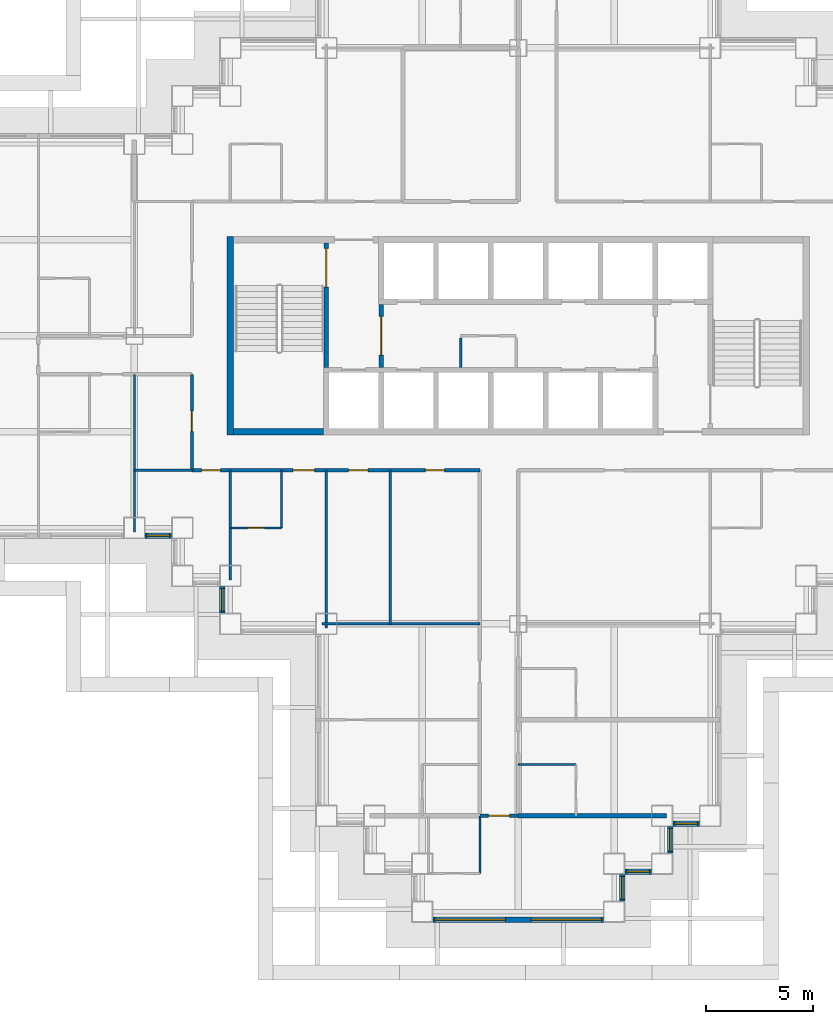
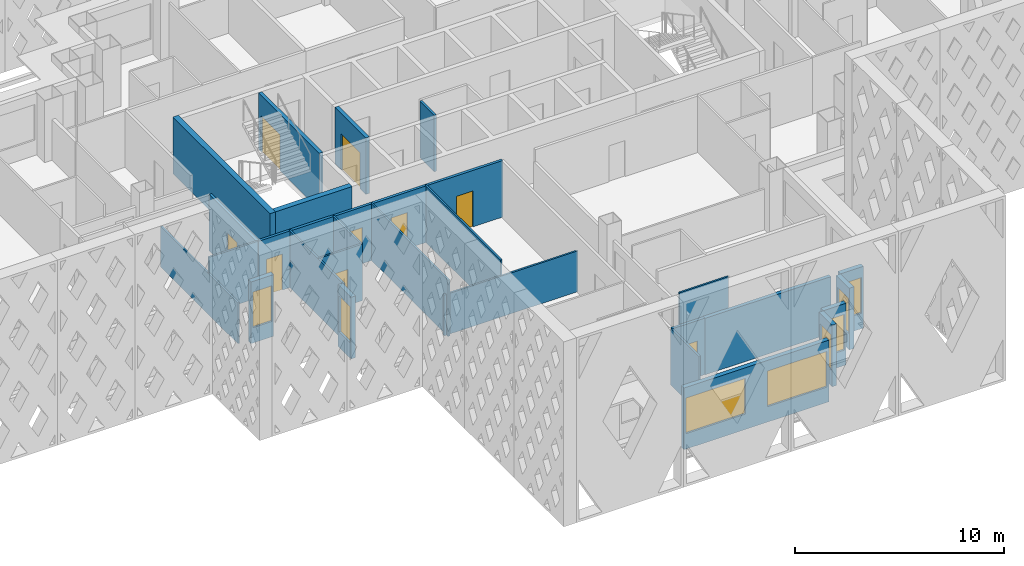
# One storey, part 4 of 19: 26 walls, 9 doors, 8 windows, 17 openings.
"""IFC4 building model written with IfcOpenShell, lengths in metres."""

from ifc_helpers import new_model, si_unit, direction, frame, frame_2d, origin, place, context, subcontext, project, spatial, rectangle, extrude, material, layer, layer_set, type_object, element, fill, save


model = new_model("IFC4")

# Units and contexts
model_context = context("Model", 3, precision=1e-05, world=origin(), true_north=direction((0.0, 1.0)))
body_context = subcontext(model_context, "Body", "Model", "MODEL_VIEW")
ifc_project = project(units=[si_unit("LENGTHUNIT", "METRE"), si_unit("AREAUNIT", "SQUARE_METRE"), si_unit("VOLUMEUNIT", "CUBIC_METRE"), si_unit("PLANEANGLEUNIT", "RADIAN"), si_unit("MASSUNIT", "GRAM", prefix="KILO")], contexts=[model_context])

# Site, building, storey
site_placement = place(None, origin())
site = spatial("IfcSite", under=ifc_project, at=site_placement, CompositionType="ELEMENT")
building_placement = place(site_placement, origin())
building = spatial("IfcBuilding", under=site, at=building_placement, Name="Caravel Reach Hotel and Residences", CompositionType="ELEMENT")
storey_placement = place(building_placement, frame((0.0, 0.0, 63.60009765625)))
storey = spatial("IfcBuildingStorey", under=building, at=storey_placement, Name="L14", CompositionType="ELEMENT", Elevation=63.60009765625)

# Wall, opening, door
ifc_material_1 = material(Name="Gypsum board on steel stud", Category="steel")
ifc_layer_1 = layer(ifc_material_1, 0.10009765625)
ifc_layer_set_1 = layer_set([ifc_layer_1], Name="Bathroom pod wall 100 mm")
wall_type_1 = type_object("IfcWallType", Name="Bathroom pod wall 100 mm", PredefinedType="PARTITIONING", material=ifc_layer_set_1)
wall_1_placement = place(storey_placement, frame((18.0, 18.0, 0.0), z_axis=(0.0, 0.0, 1.0), x_axis=(1.0, 0.0, 0.0)))
wall_1 = element("IfcWall", 1, at=wall_1_placement, inside=storey, type_object=wall_type_1, Name="L14 wall w075", PredefinedType="PARTITIONING", context=body_context, shape_type="SweptSolid", body=[
    extrude(rectangle(XDim=2.39990234375, YDim=0.10009765625, at=frame_2d((1.199951171875, 0.0))), origin(), (0.0, 0.0, 1.0), 3.2998046875),
])
opening_1_placement = place(wall_1_placement, frame((0.800048828125, 0.0, 0.0)))
opening_1 = element("IfcOpeningElement", 2, at=opening_1_placement, cuts=wall_1, Name="Opening D14-047", PredefinedType="OPENING", context=body_context, shape_type="SweptSolid", body=[
    extrude(rectangle(XDim=0.800048828125, YDim=2.10009765625, at=frame_2d((0.39990234375, 1.050048828125))), frame((0.0, 0.06005859375, 0.0), z_axis=(0.0, -1.0, 0.0), x_axis=(1.0, 0.0, 0.0)), (0.0, 0.0, 1.0), 0.1201171875),
])
ifc_material_2 = material(Name="Timber and steel door leaf", Category="steel")
door_type_1 = type_object("IfcDoorType", Name="Bathroom door 800 x 2100", OperationType="SINGLE_SWING_LEFT", PredefinedType="DOOR", material=ifc_material_2)
door_1_placement = place(opening_1_placement, origin())
door_1 = element("IfcDoor", 3, at=door_1_placement, inside=storey, type_object=door_type_1, Name="door D14-047", OperationType="SINGLE_SWING_RIGHT", OverallHeight=2.10009765625, OverallWidth=0.800048828125, PredefinedType="DOOR", context=body_context, shape_type="SweptSolid", body=[
    extrude(rectangle(XDim=0.800048828125, YDim=2.10009765625, at=frame_2d((0.39990234375, 1.050048828125))), frame((0.0, 0.02490234375, 0.0), z_axis=(0.0, -1.0, 0.0), x_axis=(1.0, 0.0, 0.0)), (0.0, 0.0, 1.0), 0.050048828125),
])
fill(opening_1, door_1)

# Walls
for number, where, z_axis, x_axis, name in (
    (4, (31.5, 6.89990234375, 0.0), (0.0, 0.0, 1.0), (1.0, 0.0, 0.0), "L14 wall w086"),
    (5, (20.39990234375, 18.0, 0.0), (0.0, 0.0, 1.0), (0.0, 1.0, 0.0), "L14 wall w092"),
    (6, (29.699951171875, 1.800048828125, 0.0), (0.0, 0.0, 1.0), (0.0, 1.0, 0.0), "L14 wall w097"),
):
    element("IfcWall", number, at=place(storey_placement, frame(where, z_axis=z_axis, x_axis=x_axis)), inside=storey, type_object=wall_type_1, Name=name, PredefinedType="PARTITIONING", context=body_context, shape_type="SweptSolid", body=[
        extrude(rectangle(XDim=2.699951171875, YDim=0.10009765625, at=frame_2d((1.35009765625, 0.0))), origin(), (0.0, 0.0, 1.0), 3.2998046875),
    ])
ifc_material_3 = material(Name="Concrete C60", Category="concrete")
ifc_layer_2 = layer(ifc_material_3, 0.300048828125)
ifc_layer_set_2 = layer_set([ifc_layer_2], Name="Core wall 300 mm EI 120")
wall_type_2 = type_object("IfcWallType", Name="Core wall 300 mm EI 120", PredefinedType="SHEAR", material=ifc_layer_set_2)
wall_2_placement = place(storey_placement, frame((18.14990234375, 22.5, 0.0), z_axis=(0.0, 0.0, 1.0), x_axis=(1.0, 0.0, 0.0)))
element("IfcWall", 7, at=wall_2_placement, inside=storey, type_object=wall_type_2, Name="L14 core wall S1", PredefinedType="SHEAR", context=body_context, shape_type="SweptSolid", body=[
    extrude(rectangle(XDim=4.22509765625, YDim=0.300048828125, at=frame_2d((2.112548828125, 0.0))), origin(), (0.0, 0.0, 1.0), 3.2998046875),
])
wall_3_placement = place(storey_placement, frame((18.0, 22.35009765625, 0.0), z_axis=(0.0, 0.0, 1.0), x_axis=(0.0, 1.0, 0.0)))
element("IfcWall", 8, at=wall_3_placement, inside=storey, type_object=wall_type_2, Name="L14 core wall W", PredefinedType="SHEAR", context=body_context, shape_type="SweptSolid", body=[
    extrude(rectangle(XDim=9.2998046875, YDim=0.300048828125, at=frame_2d((4.64990234375, 0.0))), origin(), (0.0, 0.0, 1.0), 3.2998046875),
])

# Wall, openings, doors
ifc_material_4 = material(Name="Gypsum board on steel stud, fire-rated", Category="steel")
ifc_layer_3 = layer(ifc_material_4, 0.14990234375)
ifc_layer_set_3 = layer_set([ifc_layer_3], Name="Corridor wall 150 mm EI 60")
wall_type_3 = type_object("IfcWallType", Name="Corridor wall 150 mm EI 60", PredefinedType="PARTITIONING", material=ifc_layer_set_3)
wall_4_placement = place(storey_placement, frame((16.199951171875, 20.699951171875, 0.0), z_axis=(0.0, 0.0, 1.0), x_axis=(1.0, 0.0, 0.0)))
wall_4 = element("IfcWall", 9, at=wall_4_placement, inside=storey, type_object=wall_type_3, Name="L14 wall w006", PredefinedType="PARTITIONING", context=body_context, shape_type="SweptSolid", body=[
    extrude(rectangle(XDim=13.5, YDim=0.14990234375, at=frame_2d((6.75, 0.0))), origin(), (0.0, 0.0, 1.0), 3.2998046875),
])
opening_2_placement = place(wall_4_placement, frame((4.75, 0.0, 0.0)))
opening_2 = element("IfcOpeningElement", 10, at=opening_2_placement, cuts=wall_4, Name="Opening D14-046", PredefinedType="OPENING", context=body_context, shape_type="SweptSolid", body=[
    extrude(rectangle(XDim=1.0, YDim=2.10009765625, at=frame_2d((0.5, 1.050048828125))), frame((0.0, 0.0849609375, 0.0), z_axis=(0.0, -1.0, 0.0), x_axis=(1.0, 0.0, 0.0)), (0.0, 0.0, 1.0), 0.169921875),
])
opening_3_placement = place(wall_4_placement, frame((0.449951171875, 0.0, 0.0)))
opening_3 = element("IfcOpeningElement", 11, at=opening_3_placement, cuts=wall_4, Name="Opening D14-048", PredefinedType="OPENING", context=body_context, shape_type="SweptSolid", body=[
    extrude(rectangle(XDim=0.89990234375, YDim=2.10009765625, at=frame_2d((0.449951171875, 1.050048828125))), frame((0.0, 0.0849609375, 0.0), z_axis=(0.0, -1.0, 0.0), x_axis=(1.0, 0.0, 0.0)), (0.0, 0.0, 1.0), 0.169921875),
])
opening_4_placement = place(wall_4_placement, frame((7.35009765625, 0.0, 0.0)))
opening_4 = element("IfcOpeningElement", 12, at=opening_4_placement, cuts=wall_4, Name="Opening D14-054", PredefinedType="OPENING", context=body_context, shape_type="SweptSolid", body=[
    extrude(rectangle(XDim=0.89990234375, YDim=2.10009765625, at=frame_2d((0.449951171875, 1.050048828125))), frame((0.0, 0.0849609375, 0.0), z_axis=(0.0, -1.0, 0.0), x_axis=(1.0, 0.0, 0.0)), (0.0, 0.0, 1.0), 0.169921875),
])
opening_5_placement = place(wall_4_placement, frame((10.949951171875, 0.0, 0.0)))
opening_5 = element("IfcOpeningElement", 13, at=opening_5_placement, cuts=wall_4, Name="Opening D14-055", PredefinedType="OPENING", context=body_context, shape_type="SweptSolid", body=[
    extrude(rectangle(XDim=0.89990234375, YDim=2.10009765625, at=frame_2d((0.449951171875, 1.050048828125))), frame((0.0, 0.0849609375, 0.0), z_axis=(0.0, -1.0, 0.0), x_axis=(1.0, 0.0, 0.0)), (0.0, 0.0, 1.0), 0.169921875),
])
ifc_material_5 = material(Name="Timber and steel door leaf", Category="steel")
door_type_2 = type_object("IfcDoorType", Name="Door 900 x 2100 timber", OperationType="SINGLE_SWING_LEFT", PredefinedType="DOOR", material=ifc_material_5)
door_2_placement = place(opening_3_placement, origin())
door_2 = element("IfcDoor", 14, at=door_2_placement, inside=storey, type_object=door_type_2, Name="door D14-048", OperationType="SINGLE_SWING_RIGHT", OverallHeight=2.10009765625, OverallWidth=0.89990234375, PredefinedType="DOOR", context=body_context, shape_type="SweptSolid", body=[
    extrude(rectangle(XDim=0.89990234375, YDim=2.10009765625, at=frame_2d((0.449951171875, 1.050048828125))), frame((0.0, 0.02490234375, 0.0), z_axis=(0.0, -1.0, 0.0), x_axis=(1.0, 0.0, 0.0)), (0.0, 0.0, 1.0), 0.050048828125),
])
fill(opening_3, door_2)
door_3_placement = place(opening_4_placement, origin())
door_3 = element("IfcDoor", 15, at=door_3_placement, inside=storey, type_object=door_type_2, Name="door D14-054", OperationType="SINGLE_SWING_LEFT", OverallHeight=2.10009765625, OverallWidth=0.89990234375, PredefinedType="DOOR", context=body_context, shape_type="SweptSolid", body=[
    extrude(rectangle(XDim=0.89990234375, YDim=2.10009765625, at=frame_2d((0.449951171875, 1.050048828125))), frame((0.0, 0.02490234375, 0.0), z_axis=(0.0, -1.0, 0.0), x_axis=(1.0, 0.0, 0.0)), (0.0, 0.0, 1.0), 0.050048828125),
])
fill(opening_4, door_3)
door_4_placement = place(opening_5_placement, origin())
door_4 = element("IfcDoor", 16, at=door_4_placement, inside=storey, type_object=door_type_2, Name="door D14-055", OperationType="SINGLE_SWING_RIGHT", OverallHeight=2.10009765625, OverallWidth=0.89990234375, PredefinedType="DOOR", context=body_context, shape_type="SweptSolid", body=[
    extrude(rectangle(XDim=0.89990234375, YDim=2.10009765625, at=frame_2d((0.449951171875, 1.050048828125))), frame((0.0, 0.02490234375, 0.0), z_axis=(0.0, -1.0, 0.0), x_axis=(1.0, 0.0, 0.0)), (0.0, 0.0, 1.0), 0.050048828125),
])
fill(opening_5, door_4)
ifc_material_6 = material(Name="Steel fire door leaf", Category="steel")
door_type_3 = type_object("IfcDoorType", Name="Guest room door 1000 x 2100 EI 30", OperationType="SINGLE_SWING_LEFT", PredefinedType="DOOR", material=ifc_material_6)
door_5_placement = place(opening_2_placement, origin())
door_5 = element("IfcDoor", 17, at=door_5_placement, inside=storey, type_object=door_type_3, Name="door D14-046", OperationType="SINGLE_SWING_RIGHT", OverallHeight=2.10009765625, OverallWidth=1.0, PredefinedType="DOOR", context=body_context, shape_type="SweptSolid", body=[
    extrude(rectangle(XDim=1.0, YDim=2.10009765625, at=frame_2d((0.5, 1.050048828125))), frame((0.0, 0.02490234375, 0.0), z_axis=(0.0, -1.0, 0.0), x_axis=(1.0, 0.0, 0.0)), (0.0, 0.0, 1.0), 0.050048828125),
])
fill(opening_2, door_5)

# Wall, opening, door
wall_5_placement = place(storey_placement, frame((29.699951171875, 4.5, 0.0), z_axis=(0.0, 0.0, 1.0), x_axis=(1.0, 0.0, 0.0)))
wall_5 = element("IfcWall", 18, at=wall_5_placement, inside=storey, type_object=wall_type_3, Name="L14 wall w019", PredefinedType="PARTITIONING", context=body_context, shape_type="SweptSolid", body=[
    extrude(rectangle(XDim=1.800048828125, YDim=0.14990234375, at=frame_2d((0.89990234375, 0.0))), origin(), (0.0, 0.0, 1.0), 3.2998046875),
])
opening_6_placement = place(wall_5_placement, frame((0.39990234375, 0.0, 0.0)))
opening_6 = element("IfcOpeningElement", 19, at=opening_6_placement, cuts=wall_5, Name="Opening D14-040", PredefinedType="OPENING", context=body_context, shape_type="SweptSolid", body=[
    extrude(rectangle(XDim=1.0, YDim=2.10009765625, at=frame_2d((0.5, 1.050048828125))), frame((0.0, 0.0849609375, 0.0), z_axis=(0.0, -1.0, 0.0), x_axis=(1.0, 0.0, 0.0)), (0.0, 0.0, 1.0), 0.169921875),
])
door_6_placement = place(opening_6_placement, origin())
door_6 = element("IfcDoor", 20, at=door_6_placement, inside=storey, type_object=door_type_3, Name="door D14-040", OperationType="SINGLE_SWING_LEFT", OverallHeight=2.10009765625, OverallWidth=1.0, PredefinedType="DOOR", context=body_context, shape_type="SweptSolid", body=[
    extrude(rectangle(XDim=1.0, YDim=2.10009765625, at=frame_2d((0.5, 1.050048828125))), frame((0.0, 0.02490234375, 0.0), z_axis=(0.0, -1.0, 0.0), x_axis=(1.0, 0.0, 0.0)), (0.0, 0.0, 1.0), 0.050048828125),
])
fill(opening_6, door_6)

wall_6_placement = place(storey_placement, frame((16.199951171875, 20.699951171875, 0.0), z_axis=(0.0, 0.0, 1.0), x_axis=(0.0, 1.0, 0.0)))
wall_6 = element("IfcWall", 21, at=wall_6_placement, inside=storey, type_object=wall_type_3, Name="L14 wall w022", PredefinedType="PARTITIONING", context=body_context, shape_type="SweptSolid", body=[
    extrude(rectangle(XDim=4.5, YDim=0.14990234375, at=frame_2d((2.25, 0.0))), origin(), (0.0, 0.0, 1.0), 3.2998046875),
])
opening_7_placement = place(wall_6_placement, frame((1.824951171875, 0.0, 0.0)))
opening_7 = element("IfcOpeningElement", 22, at=opening_7_placement, cuts=wall_6, Name="Opening D14-057", PredefinedType="OPENING", context=body_context, shape_type="SweptSolid", body=[
    extrude(rectangle(XDim=0.949951171875, YDim=2.10009765625, at=frame_2d((0.47509765625, 1.050048828125))), frame((0.0, 0.0849609375, 0.0), z_axis=(0.0, -1.0, 0.0), x_axis=(1.0, 0.0, 0.0)), (0.0, 0.0, 1.0), 0.169921875),
])
ifc_material_7 = material(Name="Timber and steel door leaf", Category="steel")
door_type_4 = type_object("IfcDoorType", Name="Accessible WC door 950 x 2100", OperationType="SINGLE_SWING_LEFT", PredefinedType="DOOR", material=ifc_material_7)
door_7_placement = place(opening_7_placement, origin())
door_7 = element("IfcDoor", 23, at=door_7_placement, inside=storey, type_object=door_type_4, Name="door D14-057", OperationType="SINGLE_SWING_RIGHT", OverallHeight=2.10009765625, OverallWidth=0.949951171875, PredefinedType="DOOR", context=body_context, shape_type="SweptSolid", body=[
    extrude(rectangle(XDim=0.949951171875, YDim=2.10009765625, at=frame_2d((0.47509765625, 1.050048828125))), frame((0.0, 0.02490234375, 0.0), z_axis=(0.0, -1.0, 0.0), x_axis=(1.0, 0.0, 0.0)), (0.0, 0.0, 1.0), 0.050048828125),
])
fill(opening_7, door_7)

# Wall, openings, windows
ifc_material_8 = material(Name="Insulated rainscreen wall, aluminium cladding", Category="aluminium")
ifc_layer_4 = layer(ifc_material_8, 0.25)
ifc_layer_set_4 = layer_set([ifc_layer_4], Name="EW1 Tower rainscreen wall")
wall_type_4 = type_object("IfcWallType", Name="EW1 Tower rainscreen wall", PredefinedType="SOLIDWALL", material=ifc_layer_set_4)
wall_7_placement = place(storey_placement, frame((27.5, -0.375, 0.0), z_axis=(0.0, 0.0, 1.0), x_axis=(1.0, 0.0, 0.0)))
wall_7 = element("IfcWall", 24, at=wall_7_placement, inside=storey, type_object=wall_type_4, Name="External wall L14 S5.1", PredefinedType="SOLIDWALL", context=body_context, shape_type="SweptSolid", body=[
    extrude(rectangle(XDim=8.0, YDim=0.25, at=frame_2d((4.0, 0.0))), origin(), (0.0, 0.0, 1.0), 3.599853515625),
])
opening_8_placement = place(wall_7_placement, frame((0.10009765625, 0.0, 0.89990234375)))
opening_8 = element("IfcOpeningElement", 25, at=opening_8_placement, cuts=wall_7, Name="Opening WN4", PredefinedType="OPENING", context=body_context, shape_type="SweptSolid", body=[
    extrude(rectangle(XDim=3.300048828125, YDim=2.080078125, at=frame_2d((1.64990234375, 1.0400390625))), frame((0.0, 0.135009765625, 0.0), z_axis=(0.0, -1.0, 0.0), x_axis=(1.0, 0.0, 0.0)), (0.0, 0.0, 1.0), 0.27001953125),
])
opening_9_placement = place(wall_7_placement, frame((4.60009765625, 0.0, 0.89990234375)))
opening_9 = element("IfcOpeningElement", 26, at=opening_9_placement, cuts=wall_7, Name="Opening WN4", PredefinedType="OPENING", context=body_context, shape_type="SweptSolid", body=[
    extrude(rectangle(XDim=3.300048828125, YDim=2.080078125, at=frame_2d((1.64990234375, 1.0400390625))), frame((0.0, 0.135009765625, 0.0), z_axis=(0.0, -1.0, 0.0), x_axis=(1.0, 0.0, 0.0)), (0.0, 0.0, 1.0), 0.27001953125),
])
ifc_material_9 = material(Name="Dark low-e glazing in black aluminium frame", Category="aluminium")
window_type_1 = type_object("IfcWindowType", Name="Hotel guest room window 3300 x 2080", PartitioningType="SINGLE_PANEL", PredefinedType="WINDOW", material=ifc_material_9)
window_1_placement = place(opening_8_placement, origin())
window_1 = element("IfcWindow", 27, at=window_1_placement, inside=storey, type_object=window_type_1, Name="Window L14 S5.1.1", OverallHeight=2.080078125, OverallWidth=3.300048828125, PartitioningType="SINGLE_PANEL", PredefinedType="WINDOW", context=body_context, shape_type="SweptSolid", body=[
    extrude(rectangle(XDim=3.300048828125, YDim=2.080078125, at=frame_2d((1.64990234375, 1.0400390625))), frame((0.0, 0.030029296875, 0.0), z_axis=(0.0, -1.0, 0.0), x_axis=(1.0, 0.0, 0.0)), (0.0, 0.0, 1.0), 0.06005859375),
])
fill(opening_8, window_1)
window_2_placement = place(opening_9_placement, origin())
window_2 = element("IfcWindow", 28, at=window_2_placement, inside=storey, type_object=window_type_1, Name="Window L14 S5.1.2", OverallHeight=2.080078125, OverallWidth=3.300048828125, PartitioningType="SINGLE_PANEL", PredefinedType="WINDOW", context=body_context, shape_type="SweptSolid", body=[
    extrude(rectangle(XDim=3.300048828125, YDim=2.080078125, at=frame_2d((1.64990234375, 1.0400390625))), frame((0.0, 0.030029296875, 0.0), z_axis=(0.0, -1.0, 0.0), x_axis=(1.0, 0.0, 0.0)), (0.0, 0.0, 1.0), 0.06005859375),
])
fill(opening_9, window_2)

# Wall, opening, window
wall_8_placement = place(storey_placement, frame((36.375, 0.5, 0.0), z_axis=(0.0, 0.0, 1.0), x_axis=(0.0, 1.0, 0.0)))
wall_8 = element("IfcWall", 29, at=wall_8_placement, inside=storey, type_object=wall_type_4, Name="External wall L14 E6.1", PredefinedType="SOLIDWALL", context=body_context, shape_type="SweptSolid", body=[
    extrude(rectangle(XDim=1.25, YDim=0.25, at=frame_2d((0.625, 0.0))), origin(), (0.0, 0.0, 1.0), 3.599853515625),
])
opening_10_placement = place(wall_8_placement, frame((0.10009765625, 0.0, 0.89990234375)))
opening_10 = element("IfcOpeningElement", 30, at=opening_10_placement, cuts=wall_8, Name="Opening WN3", PredefinedType="OPENING", context=body_context, shape_type="SweptSolid", body=[
    extrude(rectangle(XDim=1.050048828125, YDim=2.080078125, at=frame_2d((0.52490234375, 1.0400390625))), frame((0.0, 0.135009765625, 0.0), z_axis=(0.0, -1.0, 0.0), x_axis=(1.0, 0.0, 0.0)), (0.0, 0.0, 1.0), 0.27001953125),
])
ifc_material_10 = material(Name="Dark low-e glazing in black aluminium frame", Category="aluminium")
window_type_2 = type_object("IfcWindowType", Name="Hotel suite corner window 1050 x 2080", PartitioningType="SINGLE_PANEL", PredefinedType="WINDOW", material=ifc_material_10)
window_3_placement = place(opening_10_placement, origin())
window_3 = element("IfcWindow", 31, at=window_3_placement, inside=storey, type_object=window_type_2, Name="Window L14 E6.1.1", OverallHeight=2.080078125, OverallWidth=1.050048828125, PartitioningType="SINGLE_PANEL", PredefinedType="WINDOW", context=body_context, shape_type="SweptSolid", body=[
    extrude(rectangle(XDim=1.050048828125, YDim=2.080078125, at=frame_2d((0.52490234375, 1.0400390625))), frame((0.0, 0.030029296875, 0.0), z_axis=(0.0, -1.0, 0.0), x_axis=(1.0, 0.0, 0.0)), (0.0, 0.0, 1.0), 0.06005859375),
])
fill(opening_10, window_3)

wall_9_placement = place(storey_placement, frame((36.5, 1.875, 0.0), z_axis=(0.0, 0.0, 1.0), x_axis=(1.0, 0.0, 0.0)))
wall_9 = element("IfcWall", 32, at=wall_9_placement, inside=storey, type_object=wall_type_4, Name="External wall L14 S7.1", PredefinedType="SOLIDWALL", context=body_context, shape_type="SweptSolid", body=[
    extrude(rectangle(XDim=1.25, YDim=0.25, at=frame_2d((0.625, 0.0))), origin(), (0.0, 0.0, 1.0), 3.599853515625),
])
opening_11_placement = place(wall_9_placement, frame((0.10009765625, 0.0, 0.89990234375)))
opening_11 = element("IfcOpeningElement", 33, at=opening_11_placement, cuts=wall_9, Name="Opening WN3", PredefinedType="OPENING", context=body_context, shape_type="SweptSolid", body=[
    extrude(rectangle(XDim=1.050048828125, YDim=2.080078125, at=frame_2d((0.52490234375, 1.0400390625))), frame((0.0, 0.135009765625, 0.0), z_axis=(0.0, -1.0, 0.0), x_axis=(1.0, 0.0, 0.0)), (0.0, 0.0, 1.0), 0.27001953125),
])
window_4_placement = place(opening_11_placement, origin())
window_4 = element("IfcWindow", 34, at=window_4_placement, inside=storey, type_object=window_type_2, Name="Window L14 S7.1.1", OverallHeight=2.080078125, OverallWidth=1.050048828125, PartitioningType="SINGLE_PANEL", PredefinedType="WINDOW", context=body_context, shape_type="SweptSolid", body=[
    extrude(rectangle(XDim=1.050048828125, YDim=2.080078125, at=frame_2d((0.52490234375, 1.0400390625))), frame((0.0, 0.030029296875, 0.0), z_axis=(0.0, -1.0, 0.0), x_axis=(1.0, 0.0, 0.0)), (0.0, 0.0, 1.0), 0.06005859375),
])
fill(opening_11, window_4)

wall_10_placement = place(storey_placement, frame((38.625, 2.75, 0.0), z_axis=(0.0, 0.0, 1.0), x_axis=(0.0, 1.0, 0.0)))
wall_10 = element("IfcWall", 35, at=wall_10_placement, inside=storey, type_object=wall_type_4, Name="External wall L14 E8.1", PredefinedType="SOLIDWALL", context=body_context, shape_type="SweptSolid", body=[
    extrude(rectangle(XDim=1.25, YDim=0.25, at=frame_2d((0.625, 0.0))), origin(), (0.0, 0.0, 1.0), 3.599853515625),
])
opening_12_placement = place(wall_10_placement, frame((0.10009765625, 0.0, 0.89990234375)))
opening_12 = element("IfcOpeningElement", 36, at=opening_12_placement, cuts=wall_10, Name="Opening WN3", PredefinedType="OPENING", context=body_context, shape_type="SweptSolid", body=[
    extrude(rectangle(XDim=1.050048828125, YDim=2.080078125, at=frame_2d((0.52490234375, 1.0400390625))), frame((0.0, 0.135009765625, 0.0), z_axis=(0.0, -1.0, 0.0), x_axis=(1.0, 0.0, 0.0)), (0.0, 0.0, 1.0), 0.27001953125),
])
window_5_placement = place(opening_12_placement, origin())
window_5 = element("IfcWindow", 37, at=window_5_placement, inside=storey, type_object=window_type_2, Name="Window L14 E8.1.1", OverallHeight=2.080078125, OverallWidth=1.050048828125, PartitioningType="SINGLE_PANEL", PredefinedType="WINDOW", context=body_context, shape_type="SweptSolid", body=[
    extrude(rectangle(XDim=1.050048828125, YDim=2.080078125, at=frame_2d((0.52490234375, 1.0400390625))), frame((0.0, 0.030029296875, 0.0), z_axis=(0.0, -1.0, 0.0), x_axis=(1.0, 0.0, 0.0)), (0.0, 0.0, 1.0), 0.06005859375),
])
fill(opening_12, window_5)

wall_11_placement = place(storey_placement, frame((38.75, 4.125, 0.0), z_axis=(0.0, 0.0, 1.0), x_axis=(1.0, 0.0, 0.0)))
wall_11 = element("IfcWall", 38, at=wall_11_placement, inside=storey, type_object=wall_type_4, Name="External wall L14 S9.1", PredefinedType="SOLIDWALL", context=body_context, shape_type="SweptSolid", body=[
    extrude(rectangle(XDim=1.25, YDim=0.25, at=frame_2d((0.625, 0.0))), origin(), (0.0, 0.0, 1.0), 3.599853515625),
])
opening_13_placement = place(wall_11_placement, frame((0.10009765625, 0.0, 0.89990234375)))
opening_13 = element("IfcOpeningElement", 39, at=opening_13_placement, cuts=wall_11, Name="Opening WN3", PredefinedType="OPENING", context=body_context, shape_type="SweptSolid", body=[
    extrude(rectangle(XDim=1.050048828125, YDim=2.080078125, at=frame_2d((0.52490234375, 1.0400390625))), frame((0.0, 0.135009765625, 0.0), z_axis=(0.0, -1.0, 0.0), x_axis=(1.0, 0.0, 0.0)), (0.0, 0.0, 1.0), 0.27001953125),
])
window_6_placement = place(opening_13_placement, origin())
window_6 = element("IfcWindow", 40, at=window_6_placement, inside=storey, type_object=window_type_2, Name="Window L14 S9.1.1", OverallHeight=2.080078125, OverallWidth=1.050048828125, PartitioningType="SINGLE_PANEL", PredefinedType="WINDOW", context=body_context, shape_type="SweptSolid", body=[
    extrude(rectangle(XDim=1.050048828125, YDim=2.080078125, at=frame_2d((0.52490234375, 1.0400390625))), frame((0.0, 0.030029296875, 0.0), z_axis=(0.0, -1.0, 0.0), x_axis=(1.0, 0.0, 0.0)), (0.0, 0.0, 1.0), 0.06005859375),
])
fill(opening_13, window_6)

wall_12_placement = place(storey_placement, frame((14.0, 17.625, 0.0), z_axis=(0.0, 0.0, 1.0), x_axis=(1.0, 0.0, 0.0)))
wall_12 = element("IfcWall", 41, at=wall_12_placement, inside=storey, type_object=wall_type_4, Name="External wall L14 S55.2", PredefinedType="SOLIDWALL", context=body_context, shape_type="SweptSolid", body=[
    extrude(rectangle(XDim=1.25, YDim=0.25, at=frame_2d((0.625, 0.0))), origin(), (0.0, 0.0, 1.0), 3.599853515625),
])
opening_14_placement = place(wall_12_placement, frame((0.10009765625, 0.0, 0.89990234375)))
opening_14 = element("IfcOpeningElement", 42, at=opening_14_placement, cuts=wall_12, Name="Opening WN3", PredefinedType="OPENING", context=body_context, shape_type="SweptSolid", body=[
    extrude(rectangle(XDim=1.050048828125, YDim=2.080078125, at=frame_2d((0.52490234375, 1.0400390625))), frame((0.0, 0.135009765625, 0.0), z_axis=(0.0, -1.0, 0.0), x_axis=(1.0, 0.0, 0.0)), (0.0, 0.0, 1.0), 0.27001953125),
])
window_7_placement = place(opening_14_placement, origin())
window_7 = element("IfcWindow", 43, at=window_7_placement, inside=storey, type_object=window_type_2, Name="Window L14 S55.2.1", OverallHeight=2.080078125, OverallWidth=1.050048828125, PartitioningType="SINGLE_PANEL", PredefinedType="WINDOW", context=body_context, shape_type="SweptSolid", body=[
    extrude(rectangle(XDim=1.050048828125, YDim=2.080078125, at=frame_2d((0.52490234375, 1.0400390625))), frame((0.0, 0.030029296875, 0.0), z_axis=(0.0, -1.0, 0.0), x_axis=(1.0, 0.0, 0.0)), (0.0, 0.0, 1.0), 0.06005859375),
])
fill(opening_14, window_7)

wall_13_placement = place(storey_placement, frame((17.625, 15.25, 0.0), z_axis=(0.0, 0.0, 1.0), x_axis=(0.0, -1.0, 0.0)))
wall_13 = element("IfcWall", 44, at=wall_13_placement, inside=storey, type_object=wall_type_4, Name="External wall L14 W58.1", PredefinedType="SOLIDWALL", context=body_context, shape_type="SweptSolid", body=[
    extrude(rectangle(XDim=1.25, YDim=0.25, at=frame_2d((0.625, 0.0))), origin(), (0.0, 0.0, 1.0), 3.599853515625),
])
opening_15_placement = place(wall_13_placement, frame((0.10009765625, 0.0, 0.89990234375)))
opening_15 = element("IfcOpeningElement", 45, at=opening_15_placement, cuts=wall_13, Name="Opening WN3", PredefinedType="OPENING", context=body_context, shape_type="SweptSolid", body=[
    extrude(rectangle(XDim=1.050048828125, YDim=2.080078125, at=frame_2d((0.52490234375, 1.0400390625))), frame((0.0, 0.135009765625, 0.0), z_axis=(0.0, -1.0, 0.0), x_axis=(1.0, 0.0, 0.0)), (0.0, 0.0, 1.0), 0.27001953125),
])
window_8_placement = place(opening_15_placement, origin())
window_8 = element("IfcWindow", 46, at=window_8_placement, inside=storey, type_object=window_type_2, Name="Window L14 W58.1.1", OverallHeight=2.080078125, OverallWidth=1.050048828125, PartitioningType="SINGLE_PANEL", PredefinedType="WINDOW", context=body_context, shape_type="SweptSolid", body=[
    extrude(rectangle(XDim=1.050048828125, YDim=2.080078125, at=frame_2d((0.52490234375, 1.0400390625))), frame((0.0, 0.030029296875, 0.0), z_axis=(0.0, -1.0, 0.0), x_axis=(1.0, 0.0, 0.0)), (0.0, 0.0, 1.0), 0.06005859375),
])
fill(opening_15, window_8)

# Wall, opening, door
ifc_material_11 = material(Name="Autoclaved aerated block wall")
ifc_layer_5 = layer(ifc_material_11, 0.199951171875)
ifc_layer_set_5 = layer_set([ifc_layer_5], Name="Fire lobby wall 200 mm EI 120")
wall_type_5 = type_object("IfcWallType", Name="Fire lobby wall 200 mm EI 120", PredefinedType="PARTITIONING", material=ifc_layer_set_5)
wall_14_placement = place(storey_placement, frame((25.071533203125, 25.52490234375, 0.0), z_axis=(0.0, 0.0, 1.0), x_axis=(0.0, 1.0, 0.0)))
wall_14 = element("IfcWall", 47, at=wall_14_placement, inside=storey, type_object=wall_type_5, Name="L14 lobby W wall", PredefinedType="PARTITIONING", context=body_context, shape_type="SweptSolid", body=[
    extrude(rectangle(XDim=2.9501953125, YDim=0.199951171875, at=frame_2d((1.47509765625, 0.0))), origin(), (0.0, 0.0, 1.0), 3.2998046875),
])
opening_16_placement = place(wall_14_placement, frame((0.574951171875, 0.0, 0.0)))
opening_16 = element("IfcOpeningElement", 48, at=opening_16_placement, cuts=wall_14, Name="Opening D14-011", PredefinedType="OPENING", context=body_context, shape_type="SweptSolid", body=[
    extrude(rectangle(XDim=1.800048828125, YDim=2.10009765625, at=frame_2d((0.89990234375, 1.050048828125))), frame((0.0, 0.10986328125, 0.0), z_axis=(0.0, -1.0, 0.0), x_axis=(1.0, 0.0, 0.0)), (0.0, 0.0, 1.0), 0.219970703125),
])
ifc_material_12 = material(Name="Steel fire door leaf", Category="steel")
door_type_5 = type_object("IfcDoorType", Name="Fire lobby door pair 1800 x 2100 EI 90", OperationType="DOUBLE_DOOR_SINGLE_SWING", PredefinedType="DOOR", material=ifc_material_12)
door_8_placement = place(opening_16_placement, origin())
door_8 = element("IfcDoor", 49, at=door_8_placement, inside=storey, type_object=door_type_5, Name="lobby W door pair", OperationType="DOUBLE_DOOR_SINGLE_SWING", OverallHeight=2.10009765625, OverallWidth=1.800048828125, PredefinedType="DOOR", context=body_context, shape_type="SweptSolid", body=[
    extrude(rectangle(XDim=1.800048828125, YDim=2.10009765625, at=frame_2d((0.89990234375, 1.050048828125))), frame((0.0, 0.02490234375, 0.0), z_axis=(0.0, -1.0, 0.0), x_axis=(1.0, 0.0, 0.0)), (0.0, 0.0, 1.0), 0.050048828125),
])
fill(opening_16, door_8)

# Walls
ifc_material_13 = material(Name="Gypsum board on steel stud", Category="steel")
ifc_layer_6 = layer(ifc_material_13, 0.10009765625)
ifc_layer_set_6 = layer_set([ifc_layer_6], Name="Partition 100 mm")
wall_type_6 = type_object("IfcWallType", Name="Partition 100 mm", PredefinedType="PARTITIONING", material=ifc_layer_set_6)
wall_15_placement = place(storey_placement, frame((22.31005859375, 13.5, 0.0), z_axis=(0.0, 0.0, 1.0), x_axis=(1.0, 0.0, 0.0)))
element("IfcWall", 50, at=wall_15_placement, inside=storey, type_object=wall_type_6, Name="L14 wall w039", PredefinedType="PARTITIONING", context=body_context, shape_type="SweptSolid", body=[
    extrude(rectangle(XDim=7.389892578125, YDim=0.10009765625, at=frame_2d((3.69482421875, 0.0))), origin(), (0.0, 0.0, 1.0), 2.3798828125),
])
wall_16_placement = place(storey_placement, frame((13.5, 20.699951171875, 0.0), z_axis=(0.0, 0.0, 1.0), x_axis=(1.0, 0.0, 0.0)))
element("IfcWall", 51, at=wall_16_placement, inside=storey, type_object=wall_type_6, Name="L14 wall w042", PredefinedType="PARTITIONING", context=body_context, shape_type="SweptSolid", body=[
    extrude(rectangle(XDim=2.699951171875, YDim=0.10009765625, at=frame_2d((1.35009765625, 0.0))), origin(), (0.0, 0.0, 1.0), 3.2998046875),
])
wall_17_placement = place(storey_placement, frame((13.5, 17.81005859375, 0.0), z_axis=(0.0, 0.0, 1.0), x_axis=(0.0, 1.0, 0.0)))
element("IfcWall", 52, at=wall_17_placement, inside=storey, type_object=wall_type_6, Name="L14 wall w053", PredefinedType="PARTITIONING", context=body_context, shape_type="SweptSolid", body=[
    extrude(rectangle(XDim=7.389892578125, YDim=0.10009765625, at=frame_2d((3.69482421875, 0.0))), origin(), (0.0, 0.0, 1.0), 2.3798828125),
])
wall_18_placement = place(storey_placement, frame((18.0, 15.56005859375, 0.0), z_axis=(0.0, 0.0, 1.0), x_axis=(0.0, 1.0, 0.0)))
element("IfcWall", 53, at=wall_18_placement, inside=storey, type_object=wall_type_6, Name="L14 wall w054", PredefinedType="PARTITIONING", context=body_context, shape_type="SweptSolid", body=[
    extrude(rectangle(XDim=5.139892578125, YDim=0.10009765625, at=frame_2d((2.56982421875, 0.0))), origin(), (0.0, 0.0, 1.0), 3.2998046875),
])
wall_19_placement = place(storey_placement, frame((22.5, 13.31005859375, 0.0), z_axis=(0.0, 0.0, 1.0), x_axis=(0.0, 1.0, 0.0)))
element("IfcWall", 54, at=wall_19_placement, inside=storey, type_object=wall_type_6, Name="L14 wall w056", PredefinedType="PARTITIONING", context=body_context, shape_type="SweptSolid", body=[
    extrude(rectangle(XDim=7.389892578125, YDim=0.10009765625, at=frame_2d((3.69482421875, 0.0))), origin(), (0.0, 0.0, 1.0), 3.2998046875),
])
wall_20_placement = place(storey_placement, frame((25.5, 13.5, 0.0), z_axis=(0.0, 0.0, 1.0), x_axis=(0.0, 1.0, 0.0)))
element("IfcWall", 55, at=wall_20_placement, inside=storey, type_object=wall_type_6, Name="L14 wall w057", PredefinedType="PARTITIONING", context=body_context, shape_type="SweptSolid", body=[
    extrude(rectangle(XDim=7.199951171875, YDim=0.10009765625, at=frame_2d((3.60009765625, 0.0))), origin(), (0.0, 0.0, 1.0), 3.2998046875),
])
ifc_material_14 = material(Name="Autoclaved aerated block wall")
ifc_layer_7 = layer(ifc_material_14, 0.199951171875)
ifc_layer_set_7 = layer_set([ifc_layer_7], Name="Party wall 200 mm EI 60")
wall_type_7 = type_object("IfcWallType", Name="Party wall 200 mm EI 60", PredefinedType="PARTITIONING", material=ifc_layer_set_7)
wall_21_placement = place(storey_placement, frame((31.5, 4.5, 0.0), z_axis=(0.0, 0.0, 1.0), x_axis=(1.0, 0.0, 0.0)))
element("IfcWall", 56, at=wall_21_placement, inside=storey, type_object=wall_type_7, Name="L14 wall w066", PredefinedType="PARTITIONING", context=body_context, shape_type="SweptSolid", body=[
    extrude(rectangle(XDim=6.93994140625, YDim=0.199951171875, at=frame_2d((3.469970703125, 0.0))), origin(), (0.0, 0.0, 1.0), 3.2998046875),
])
ifc_material_15 = material(Name="Autoclaved aerated block wall")
ifc_layer_8 = layer(ifc_material_15, 0.125)
ifc_layer_set_8 = layer_set([ifc_layer_8], Name="Riser wall 125 mm EI 60")
wall_type_8 = type_object("IfcWallType", Name="Riser wall 125 mm EI 60", PredefinedType="PARTITIONING", material=ifc_layer_set_8)
wall_22_placement = place(storey_placement, frame((28.800048828125, 25.52490234375, 0.0), z_axis=(0.0, 0.0, 1.0), x_axis=(0.0, 1.0, 0.0)))
element("IfcWall", 57, at=wall_22_placement, inside=storey, type_object=wall_type_8, Name="L14 service room partition S1", PredefinedType="PARTITIONING", context=body_context, shape_type="SweptSolid", body=[
    extrude(rectangle(XDim=1.375, YDim=0.125, at=frame_2d((0.6875, 0.0))), origin(), (0.0, 0.0, 1.0), 3.2998046875),
])

# Wall, opening, door
ifc_material_16 = material(Name="Concrete C60", Category="concrete")
ifc_layer_9 = layer(ifc_material_16, 0.199951171875)
ifc_layer_set_9 = layer_set([ifc_layer_9], Name="Stair enclosure wall 200 mm EI 120")
wall_type_9 = type_object("IfcWallType", Name="Stair enclosure wall 200 mm EI 120", PredefinedType="SHEAR", material=ifc_layer_set_9)
wall_23_placement = place(storey_placement, frame((22.5, 31.35009765625, 0.0), z_axis=(0.0, 0.0, 1.0), x_axis=(0.0, -1.0, 0.0)))
wall_23 = element("IfcWall", 58, at=wall_23_placement, inside=storey, type_object=wall_type_9, Name="L14 stair A wall", PredefinedType="SHEAR", context=body_context, shape_type="SweptSolid", body=[
    extrude(rectangle(XDim=5.8251953125, YDim=0.199951171875, at=frame_2d((2.91259765625, 0.0))), origin(), (0.0, 0.0, 1.0), 3.2998046875),
])
opening_17_placement = place(wall_23_placement, frame((0.25, 0.0, 0.0)))
opening_17 = element("IfcOpeningElement", 59, at=opening_17_placement, cuts=wall_23, Name="Opening D14-009", PredefinedType="OPENING", context=body_context, shape_type="SweptSolid", body=[
    extrude(rectangle(XDim=1.800048828125, YDim=2.10009765625, at=frame_2d((0.89990234375, 1.050048828125))), frame((0.0, 0.10986328125, 0.0), z_axis=(0.0, -1.0, 0.0), x_axis=(1.0, 0.0, 0.0)), (0.0, 0.0, 1.0), 0.219970703125),
])
ifc_material_17 = material(Name="Steel fire door leaf", Category="steel")
door_type_6 = type_object("IfcDoorType", Name="Stair door pair 1800 x 2100 EI 90", OperationType="DOUBLE_DOOR_SINGLE_SWING", PredefinedType="DOOR", material=ifc_material_17)
door_9_placement = place(opening_17_placement, origin())
door_9 = element("IfcDoor", 60, at=door_9_placement, inside=storey, type_object=door_type_6, Name="stair A door pair", OperationType="DOUBLE_DOOR_SINGLE_SWING", OverallHeight=2.10009765625, OverallWidth=1.800048828125, PredefinedType="DOOR", context=body_context, shape_type="SweptSolid", body=[
    extrude(rectangle(XDim=1.800048828125, YDim=2.10009765625, at=frame_2d((0.89990234375, 1.050048828125))), frame((0.0, 0.02490234375, 0.0), z_axis=(0.0, -1.0, 0.0), x_axis=(1.0, 0.0, 0.0)), (0.0, 0.0, 1.0), 0.050048828125),
])
fill(opening_17, door_9)

save(model, "model.ifc")
